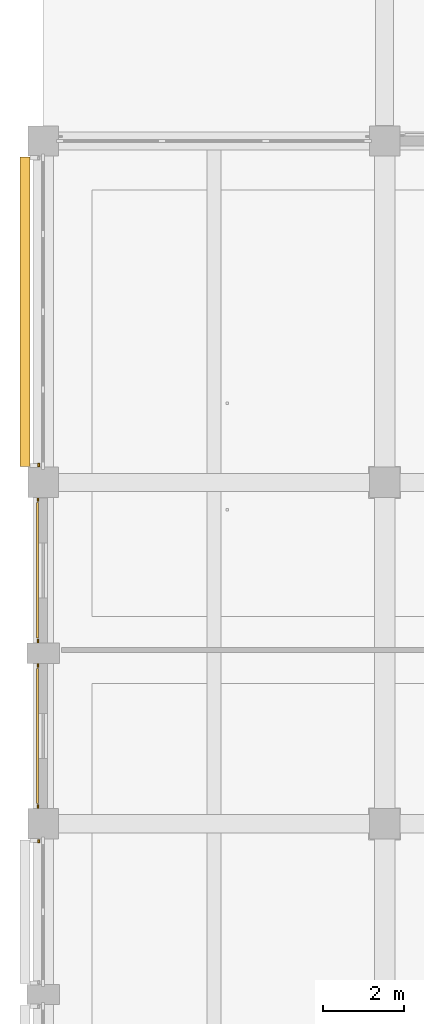
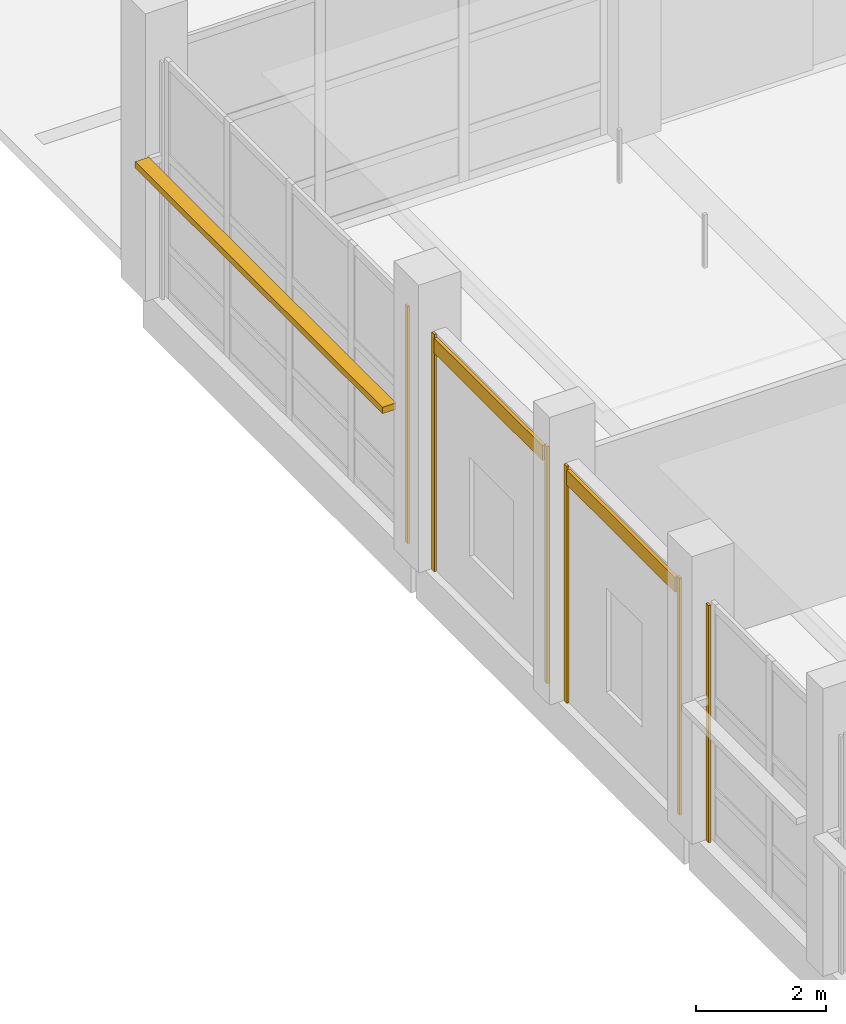
# One storey, part 106 of 140: 8 coverings, 1 shading device.
"""IFC4 building model written with IfcOpenShell, lengths in metres."""

from ifc_helpers import new_model, si_unit, direction, frame, origin, origin_2d, place, context, subcontext, project, spatial, rectangle, extrude, material, layer, layer_set, type_object, element, save


model = new_model("IFC4")

# Units and contexts
model_context = context("Model", 3, precision=1e-05, world=origin(), true_north=direction((0.0, 1.0)))
body_context = subcontext(model_context, "Body", "Model", "MODEL_VIEW")
ifc_project = project(units=[si_unit("LENGTHUNIT", "METRE"), si_unit("AREAUNIT", "SQUARE_METRE"), si_unit("VOLUMEUNIT", "CUBIC_METRE"), si_unit("PLANEANGLEUNIT", "RADIAN"), si_unit("MASSUNIT", "GRAM", prefix="KILO")], contexts=[model_context])

# Site, building, storey
site_placement = place(None, origin())
site = spatial("IfcSite", under=ifc_project, at=site_placement, CompositionType="ELEMENT")
building_placement = place(site_placement, origin())
building = spatial("IfcBuilding", under=site, at=building_placement, Name="Telukmera Botanical Conservatory", CompositionType="ELEMENT")
storey_placement = place(building_placement, origin())
storey = spatial("IfcBuildingStorey", under=building, at=storey_placement, Name="L00", CompositionType="ELEMENT", Elevation=0.0)

# Coverings
ifc_material_1 = material(Name="Granite-faced precast concrete C40/50", Category="masonry")
ifc_layer_1 = layer(ifc_material_1, 0.0400390625)
ifc_layer_set_1 = layer_set([ifc_layer_1], Name="Granite-faced precast concrete C40/50")
covering_type_1 = type_object("IfcCoveringType", Name="Granite Precast Column Pier Reveal Casing", PredefinedType="CLADDING", material=ifc_layer_set_1)
for number, where, z_axis, x_axis, name in (
    (1, (8.2900390625, 57.572998046875, 0.0), (0.0, 0.0, 1.0), (0.0, 1.0, 0.0), "Granite Pier Reveal V3:L00:W5B R"),
    (2, (8.27001953125, 58.427001953125, 0.0), (0.0, 0.0, 1.0), (0.0, 1.0, 0.0), "Granite Pier Reveal V3:L00:W6A L"),
    (3, (8.27001953125, 61.89794921875, 0.0), (0.0, 0.0, 1.0), (0.0, 1.0, 0.0), "Granite Pier Reveal V3:L00:W6A R"),
    (4, (8.27001953125, 62.501953125, 0.0), (0.0, 0.0, 1.0), (0.0, 1.0, 0.0), "Granite Pier Reveal V3:L00:W6B L"),
    (5, (8.27001953125, 65.972900390625, 0.0), (0.0, 0.0, 1.0), (0.0, 1.0, 0.0), "Granite Pier Reveal V3:L00:W6B R"),
    (6, (8.2900390625, 66.826904296875, 0.0), (0.0, 0.0, 1.0), (0.0, 1.0, 0.0), "Granite Pier Reveal V3:L00:W7 L"),
):
    element("IfcCovering", number, at=place(storey_placement, frame(where, z_axis=z_axis, x_axis=x_axis)), inside=storey, type_object=covering_type_1, Name=name, PredefinedType="CLADDING", context=body_context, shape_type="SweptSolid", body=[
        extrude(rectangle(XDim=0.080078125, YDim=0.0400390625, at=origin_2d()), origin(), (0.0, 0.0, 1.0), 4.449951171875),
    ])

# Shading device
ifc_material_2 = material(Name="Perforated terracotta-anodised aluminium 6063-T6", Category="masonry")
ifc_layer_2 = layer(ifc_material_2, 0.044921875)
ifc_layer_set_2 = layer_set([ifc_layer_2], Name="Perforated terracotta-anodised aluminium 6063-T6")
shading_device_type = type_object("IfcShadingDeviceType", Name="Perforated Terracotta Aluminium Monsoon Brise Soleil", PredefinedType="JALOUSIE", material=ifc_layer_set_2)
shading_device_placement = place(storey_placement, frame((7.949951171875, 70.60009765625, 2.58984375), z_axis=(0.0, 0.0, 1.0), x_axis=(0.0, 1.0, 0.0)))
element("IfcShadingDevice", 7, at=shading_device_placement, inside=storey, type_object=shading_device_type, Name="Monsoon Shading BS01 V3:L00:W7", PredefinedType="JALOUSIE", context=body_context, shape_type="SweptSolid", body=[
    extrude(rectangle(XDim=7.60595703125, YDim=0.239990234375, at=origin_2d()), origin(), (0.0, 0.0, 1.0), 0.1201171875),
])

# Coverings
ifc_material_3 = material(Name="Terracotta-faced precast concrete C40/50", Category="masonry")
ifc_layer_3 = layer(ifc_material_3, 0.06005859375)
ifc_layer_set_3 = layer_set([ifc_layer_3], Name="Terracotta-faced precast concrete C40/50")
covering_type_2 = type_object("IfcCoveringType", Name="Polychrome Terracotta Facade Band Cladding", PredefinedType="CLADDING", material=ifc_layer_set_3)
for number, where, z_axis, x_axis, name in (
    (8, (8.260009765625, 60.16259765625, 4.1298828125), (0.0, 0.0, 1.0), (0.0, 1.0, 0.0), "Polychrome Terracotta Band V3:L00:W6A"),
    (9, (8.260009765625, 64.237548828125, 4.1298828125), (0.0, 0.0, 1.0), (0.0, 1.0, 0.0), "Polychrome Terracotta Band V3:L00:W6B"),
):
    element("IfcCovering", number, at=place(storey_placement, frame(where, z_axis=z_axis, x_axis=x_axis)), inside=storey, type_object=covering_type_2, Name=name, PredefinedType="CLADDING", context=body_context, shape_type="SweptSolid", body=[
        extrude(rectangle(XDim=3.3310546875, YDim=0.06005859375, at=origin_2d()), origin(), (0.0, 0.0, 1.0), 0.280029296875),
    ])

save(model, "model.ifc")
